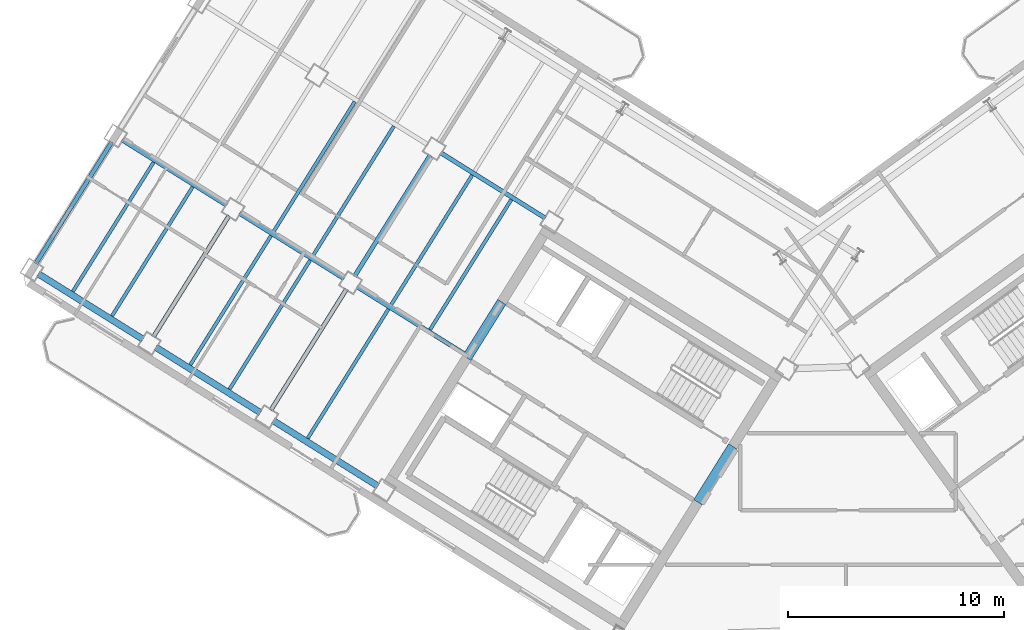
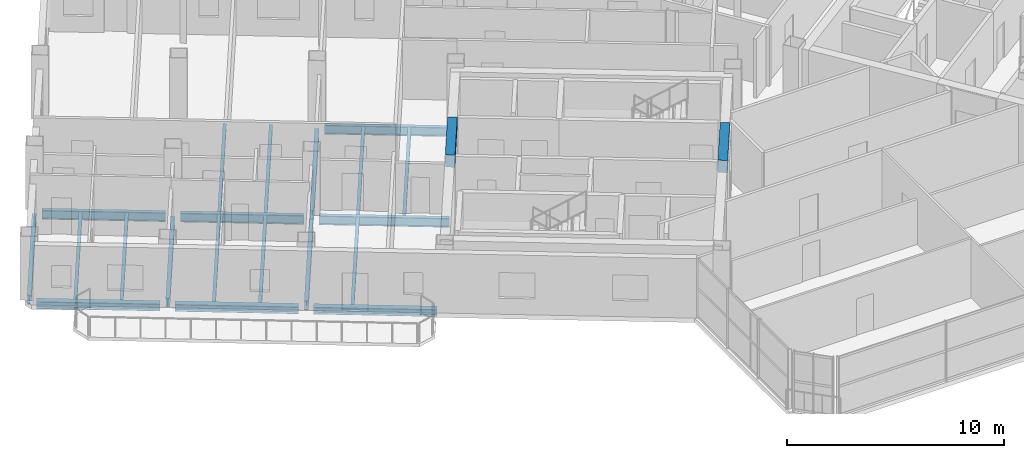
# One storey, part 5 of 20: 22 beams.
"""IFC4 building model written with IfcOpenShell, lengths in metres."""

from ifc_helpers import new_model, si_unit, direction, frame, origin, origin_2d, place, context, subcontext, project, spatial, rectangle, i_section, extrude, source, transform, mapped, material, material_profile, profile_set, type_object, element, save


model = new_model("IFC4")

# Units and contexts
model_context = context("Model", 3, precision=1e-05, world=origin(), true_north=direction((0.0, 1.0)))
body_context = subcontext(model_context, "Body", "Model", "MODEL_VIEW")
ifc_project = project(units=[si_unit("LENGTHUNIT", "METRE"), si_unit("AREAUNIT", "SQUARE_METRE"), si_unit("VOLUMEUNIT", "CUBIC_METRE"), si_unit("PLANEANGLEUNIT", "RADIAN"), si_unit("MASSUNIT", "GRAM", prefix="KILO")], contexts=[model_context])

# Site, building, storey
site_placement = place(None, origin())
site = spatial("IfcSite", under=ifc_project, at=site_placement, CompositionType="ELEMENT")
building_placement = place(site_placement, origin())
building = spatial("IfcBuilding", under=site, at=building_placement, Name="Tlacorven Tower", CompositionType="ELEMENT")
storey_placement = place(building_placement, frame((0.0, 0.0, 211.199951171875)))
storey = spatial("IfcBuildingStorey", under=building, at=storey_placement, Name="L53", CompositionType="ELEMENT", Elevation=211.199951171875)

# Beams
ifc_material_1 = material(Name="Concrete C60/75", Category="concrete")
ifc_material_profile_1 = material_profile(ifc_material_1, rectangle(XDim=0.449951171875, YDim=0.699951171875, at=origin_2d()), Name="RC 450X700")
ifc_profile_set_1 = profile_set([ifc_material_profile_1], Name="Concrete C60/75")
beam_type_1 = type_object("IfcBeamType", Name="BM-LNT-700", PredefinedType="LINTEL", material=ifc_profile_set_1)
shared_shape_1 = source(origin(), body_context, "Body", "SweptSolid", [
    extrude(rectangle(XDim=0.449951171875, YDim=0.699951171875, at=origin_2d()), origin(), (0.0, 0.0, 1.0), 3.050048828125),
])
beam_1_placement = place(storey_placement, frame((38.2998046875, 20.890625, 3.0), z_axis=(-0.529984549635, -0.848007297815, 0.0), x_axis=(0.848007297815, -0.529984549635, 0.0)))
element("IfcBeam", 1, at=beam_1_placement, inside=storey, type_object=beam_type_1, Name="L53 W core coupling lintel beam E1", PredefinedType="LINTEL", context=body_context, shape_type="MappedRepresentation", body=[
    mapped(shared_shape_1, transform((0.0, 0.0, 0.0), scale=1.0)),
])
shared_shape_2 = source(origin(), body_context, "Body", "SweptSolid", [
    extrude(rectangle(XDim=0.449951171875, YDim=0.699951171875, at=origin_2d()), origin(), (0.0, 0.0, 1.0), 3.0498046875),
])
beam_2_placement = place(storey_placement, frame((27.622802734375, 27.562255859375, 3.0), z_axis=(-0.529926983584, -0.848043272522, 0.0), x_axis=(0.848043272522, -0.529926983584, 0.0)))
element("IfcBeam", 2, at=beam_2_placement, inside=storey, type_object=beam_type_1, Name="L53 W core coupling lintel beam E2", PredefinedType="LINTEL", context=body_context, shape_type="MappedRepresentation", body=[
    mapped(shared_shape_2, transform((0.0, 0.0, 0.0), scale=1.0)),
])
ifc_material_2 = material(Name="Steel S355J2", Category="steel")
ifc_material_profile_2 = material_profile(ifc_material_2, i_section(OverallWidth=0.199951171875, OverallDepth=0.5, WebThickness=0.01025390625, FlangeThickness=0.01611328125, at=origin_2d()), Name="IPE 500")
ifc_profile_set_2 = profile_set([ifc_material_profile_2], Name="Steel S355J2")
beam_type_2 = type_object("IfcBeamType", Name="BM-TWR-500", PredefinedType="BEAM", material=ifc_profile_set_2)
shared_shape_3 = source(origin(), body_context, "Body", "SweptSolid", [
    extrude(i_section(OverallWidth=0.199951171875, OverallDepth=0.5, WebThickness=0.01025390625, FlangeThickness=0.01611328125, at=origin_2d()), origin(), (0.0, 0.0, 1.0), 6.010009765625),
])
beam_3_placement = place(storey_placement, frame((26.025634765625, 25.081787109375, -0.5), z_axis=(-0.848043944584, 0.529925908081, 0.0), x_axis=(-0.529925908081, -0.848043944584, 0.0)))
element("IfcBeam", 3, at=beam_3_placement, inside=storey, type_object=beam_type_2, Name="L53 beam BM-L53-WL3-3", PredefinedType="BEAM", context=body_context, shape_type="MappedRepresentation", body=[
    mapped(shared_shape_3, transform((0.0, 0.0, 0.0), scale=1.0)),
])
shared_shape_4 = source(origin(), body_context, "Body", "SweptSolid", [
    extrude(i_section(OverallWidth=0.199951171875, OverallDepth=0.5, WebThickness=0.01025390625, FlangeThickness=0.01611328125, at=origin_2d()), origin(), (0.0, 0.0, 1.0), 5.7001953125),
])
for number, where, z_axis, x_axis, name in (
    (4, (20.335205078125, 28.637451171875, -0.5), (-0.848036800771, 0.529937340199, 0.0), (-0.529937340199, -0.848036800771, 0.0), "L53 beam BM-L53-WL3-4"),
    (5, (14.90771484375, 32.029052734375, -0.5), (-0.848056048787, 0.529906537151, 0.0), (-0.529906537151, -0.848056048787, 0.0), "L53 beam BM-L53-WL3-5"),
):
    element("IfcBeam", number, at=place(storey_placement, frame(where, z_axis=z_axis, x_axis=x_axis)), inside=storey, type_object=beam_type_2, Name=name, PredefinedType="BEAM", context=body_context, shape_type="MappedRepresentation", body=[
        mapped(shared_shape_4, transform((0.0, 0.0, 0.0), scale=1.0)),
    ])
shared_shape_5 = source(origin(), body_context, "Body", "SweptSolid", [
    extrude(i_section(OverallWidth=0.199951171875, OverallDepth=0.5, WebThickness=0.01025390625, FlangeThickness=0.01611328125, at=origin_2d()), origin(), (0.0, 0.0, 1.0), 5.699951171875),
])
beam_4_placement = place(storey_placement, frame((29.631103515625, 31.436767578125, -0.5), z_axis=(-0.848044021115, 0.529925785607, 0.0), x_axis=(-0.529925785607, -0.848044021115, 0.0)))
element("IfcBeam", 6, at=beam_4_placement, inside=storey, type_object=beam_type_2, Name="L53 beam BM-L53-WL2-3", PredefinedType="BEAM", context=body_context, shape_type="MappedRepresentation", body=[
    mapped(shared_shape_5, transform((0.0, 0.0, 0.0), scale=1.0)),
])
shared_shape_6 = source(origin(), body_context, "Body", "SweptSolid", [
    extrude(i_section(OverallWidth=0.199951171875, OverallDepth=0.5, WebThickness=0.01025390625, FlangeThickness=0.01611328125, at=origin_2d()), origin(), (0.0, 0.0, 1.0), 6.599853515625),
])
beam_5_placement = place(storey_placement, frame((24.31494140625, 34.345947265625, -0.5), z_axis=(-0.529942412256, -0.848033631227, 0.0), x_axis=(0.848033631227, -0.529942412256, 0.0)))
element("IfcBeam", 7, at=beam_5_placement, inside=storey, type_object=beam_type_2, Name="L53 beam BM-L53-WT4-2", PredefinedType="BEAM", context=body_context, shape_type="MappedRepresentation", body=[
    mapped(shared_shape_6, transform((0.0, 0.0, 0.0), scale=1.0)),
])
shared_shape_7 = source(origin(), body_context, "Body", "SweptSolid", [
    extrude(i_section(OverallWidth=0.199951171875, OverallDepth=0.5, WebThickness=0.01025390625, FlangeThickness=0.01611328125, at=origin_2d()), origin(), (0.0, 0.0, 1.0), 6.60009765625),
])
for number, where, z_axis, x_axis, name in (
    (8, (20.446533203125, 28.1552734375, -0.5), (-0.529925788294, -0.848044019436, 0.0), (0.848044019436, -0.529925788294, 0.0), "L53 beam BM-L53-WT4-3"),
    (9, (15.01904296875, 31.546875, -0.5), (-0.529925788294, -0.848044019436, 0.0), (0.848044019436, -0.529925788294, 0.0), "L53 beam BM-L53-WT5-3"),
    (10, (9.591552734375, 34.938232421875, -0.5), (-0.529925788294, -0.848044019436, 0.0), (0.848044019436, -0.529925788294, 0.0), "L53 beam BM-L53-WT6-3"),
):
    element("IfcBeam", number, at=place(storey_placement, frame(where, z_axis=z_axis, x_axis=x_axis)), inside=storey, type_object=beam_type_2, Name=name, PredefinedType="BEAM", context=body_context, shape_type="MappedRepresentation", body=[
        mapped(shared_shape_7, transform((0.0, 0.0, 0.0), scale=1.0)),
    ])
ifc_material_profile_3 = material_profile(ifc_material_2, i_section(OverallWidth=0.159912109375, OverallDepth=0.330078125, WebThickness=0.007568359375, FlangeThickness=0.011474609375, at=origin_2d()), Name="IPE 330")
ifc_profile_set_3 = profile_set([ifc_material_profile_3], Name="Steel S355J2")
beam_type_3 = type_object("IfcBeamType", Name="BM-JST-330", PredefinedType="JOIST", material=ifc_profile_set_3)
shared_shape_8 = source(origin(), body_context, "Body", "SweptSolid", [
    extrude(i_section(OverallWidth=0.159912109375, OverallDepth=0.330078125, WebThickness=0.007568359375, FlangeThickness=0.011474609375, at=origin_2d()), origin(), (0.0, 0.0, 1.0), 7.0400390625),
])
for number, where, z_axis, x_axis, name in (
    (11, (18.767333984375, 29.493408203125, -0.4150390625), (-0.529930359501, -0.848041162963, 0.0), (0.848041162963, -0.529930359501, 0.0), "L53 beam BM-L53-WJ4-3-1"),
    (12, (16.9580078125, 30.6240234375, -0.4150390625), (-0.529930359501, -0.848041162963, 0.0), (0.848041162963, -0.529930359501, 0.0), "L53 beam BM-L53-WJ4-3-2"),
    (13, (13.33984375, 32.885009765625, -0.4150390625), (-0.529930359501, -0.848041162963, 0.0), (0.848041162963, -0.529930359501, 0.0), "L53 beam BM-L53-WJ5-3-1"),
):
    element("IfcBeam", number, at=place(storey_placement, frame(where, z_axis=z_axis, x_axis=x_axis)), inside=storey, type_object=beam_type_3, Name=name, PredefinedType="JOIST", context=body_context, shape_type="MappedRepresentation", body=[
        mapped(shared_shape_8, transform((0.0, 0.0, 0.0), scale=1.0)),
    ])
shared_shape_9 = source(origin(), body_context, "Body", "SweptSolid", [
    extrude(i_section(OverallWidth=0.159912109375, OverallDepth=0.330078125, WebThickness=0.007568359375, FlangeThickness=0.011474609375, at=origin_2d()), origin(), (0.0, 0.0, 1.0), 7.090087890625),
])
for number, where, z_axis, x_axis, name in (
    (14, (28.063232421875, 32.292724609375, -0.4150390625), (-0.529912270669, -0.84805246618, 0.0), (0.84805246618, -0.529912270669, 0.0), "L53 beam BM-L53-WJ3-2-1"),
    (15, (26.25390625, 33.42333984375, -0.4150390625), (-0.529912270669, -0.84805246618, 0.0), (0.84805246618, -0.529912270669, 0.0), "L53 beam BM-L53-WJ3-2-2"),
    (16, (22.6357421875, 35.684326171875, -0.4150390625), (-0.529937035031, -0.848036991471, 0.0), (0.848036991471, -0.529937035031, 0.0), "L53 beam BM-L53-WJ4-2-1"),
):
    element("IfcBeam", number, at=place(storey_placement, frame(where, z_axis=z_axis, x_axis=x_axis)), inside=storey, type_object=beam_type_3, Name=name, PredefinedType="JOIST", context=body_context, shape_type="MappedRepresentation", body=[
        mapped(shared_shape_9, transform((0.0, 0.0, 0.0), scale=1.0)),
    ])
shared_shape_10 = source(origin(), body_context, "Body", "SweptSolid", [
    extrude(i_section(OverallWidth=0.159912109375, OverallDepth=0.330078125, WebThickness=0.007568359375, FlangeThickness=0.011474609375, at=origin_2d()), origin(), (0.0, 0.0, 1.0), 7.08984375),
])
beam_6_placement = place(storey_placement, frame((20.826416015625, 36.814697265625, -0.4150390625), z_axis=(-0.529927745663, -0.848042796312, 0.0), x_axis=(0.848042796312, -0.529927745663, 0.0)))
element("IfcBeam", 17, at=beam_6_placement, inside=storey, type_object=beam_type_3, Name="L53 beam BM-L53-WJ4-2-2", PredefinedType="JOIST", context=body_context, shape_type="MappedRepresentation", body=[
    mapped(shared_shape_10, transform((0.0, 0.0, 0.0), scale=1.0)),
])
shared_shape_11 = source(origin(), body_context, "Body", "SweptSolid", [
    extrude(i_section(OverallWidth=0.159912109375, OverallDepth=0.330078125, WebThickness=0.007568359375, FlangeThickness=0.011474609375, at=origin_2d()), origin(), (0.0, 0.0, 1.0), 7.040283203125),
])
for number, where, z_axis, x_axis, name in (
    (18, (22.385498046875, 27.232666015625, -0.4150390625), (-0.529914775015, -0.848050901315, 0.0), (0.848050901315, -0.529914775015, 0.0), "L53 beam BM-L53-WJ3-3-2"),
    (19, (11.530517578125, 34.015625, -0.4150390625), (-0.529914775015, -0.848050901315, 0.0), (0.848050901315, -0.529914775015, 0.0), "L53 beam BM-L53-WJ5-3-2"),
):
    element("IfcBeam", number, at=place(storey_placement, frame(where, z_axis=z_axis, x_axis=x_axis)), inside=storey, type_object=beam_type_3, Name=name, PredefinedType="JOIST", context=body_context, shape_type="MappedRepresentation", body=[
        mapped(shared_shape_11, transform((0.0, 0.0, 0.0), scale=1.0)),
    ])
ifc_material_profile_4 = material_profile(ifc_material_2, i_section(OverallWidth=0.300048828125, OverallDepth=0.389892578125, WebThickness=0.010986328125, FlangeThickness=0.01904296875, at=origin_2d()), Name="HEA 400")
ifc_profile_set_4 = profile_set([ifc_material_profile_4], Name="Steel S355J2")
beam_type_4 = type_object("IfcBeamType", Name="BM-SPN-400", PredefinedType="SPANDREL", material=ifc_profile_set_4)
shared_shape_12 = source(origin(), body_context, "Body", "SweptSolid", [
    extrude(i_section(OverallWidth=0.300048828125, OverallDepth=0.389892578125, WebThickness=0.010986328125, FlangeThickness=0.01904296875, at=origin_2d()), origin(), (0.0, 0.0, 1.0), 5.699951171875),
])
beam_7_placement = place(storey_placement, frame((21.894287109375, 19.055419921875, -0.445068359375), z_axis=(-0.848044021115, 0.529925785607, 0.0), x_axis=(-0.529925785607, -0.848044021115, 0.0)))
element("IfcBeam", 20, at=beam_7_placement, inside=storey, type_object=beam_type_4, Name="L53 beam BM-L53-WL4-3", PredefinedType="SPANDREL", context=body_context, shape_type="MappedRepresentation", body=[
    mapped(shared_shape_12, transform((0.0, 0.0, 0.0), scale=1.0)),
])
shared_shape_13 = source(origin(), body_context, "Body", "SweptSolid", [
    extrude(i_section(OverallWidth=0.300048828125, OverallDepth=0.389892578125, WebThickness=0.010986328125, FlangeThickness=0.01904296875, at=origin_2d()), origin(), (0.0, 0.0, 1.0), 5.7001953125),
])
for number, where, z_axis, x_axis, name in (
    (21, (16.466796875, 22.44677734375, -0.445068359375), (-0.848056048787, 0.529906537151, 0.0), (-0.529906537151, -0.848056048787, 0.0), "L53 beam BM-L53-WL4-4"),
    (22, (11.039306640625, 25.83837890625, -0.445068359375), (-0.848056048787, 0.529906537151, 0.0), (-0.529906537151, -0.848056048787, 0.0), "L53 beam BM-L53-WL4-5"),
):
    element("IfcBeam", number, at=place(storey_placement, frame(where, z_axis=z_axis, x_axis=x_axis)), inside=storey, type_object=beam_type_4, Name=name, PredefinedType="SPANDREL", context=body_context, shape_type="MappedRepresentation", body=[
        mapped(shared_shape_13, transform((0.0, 0.0, 0.0), scale=1.0)),
    ])

save(model, "model.ifc")
